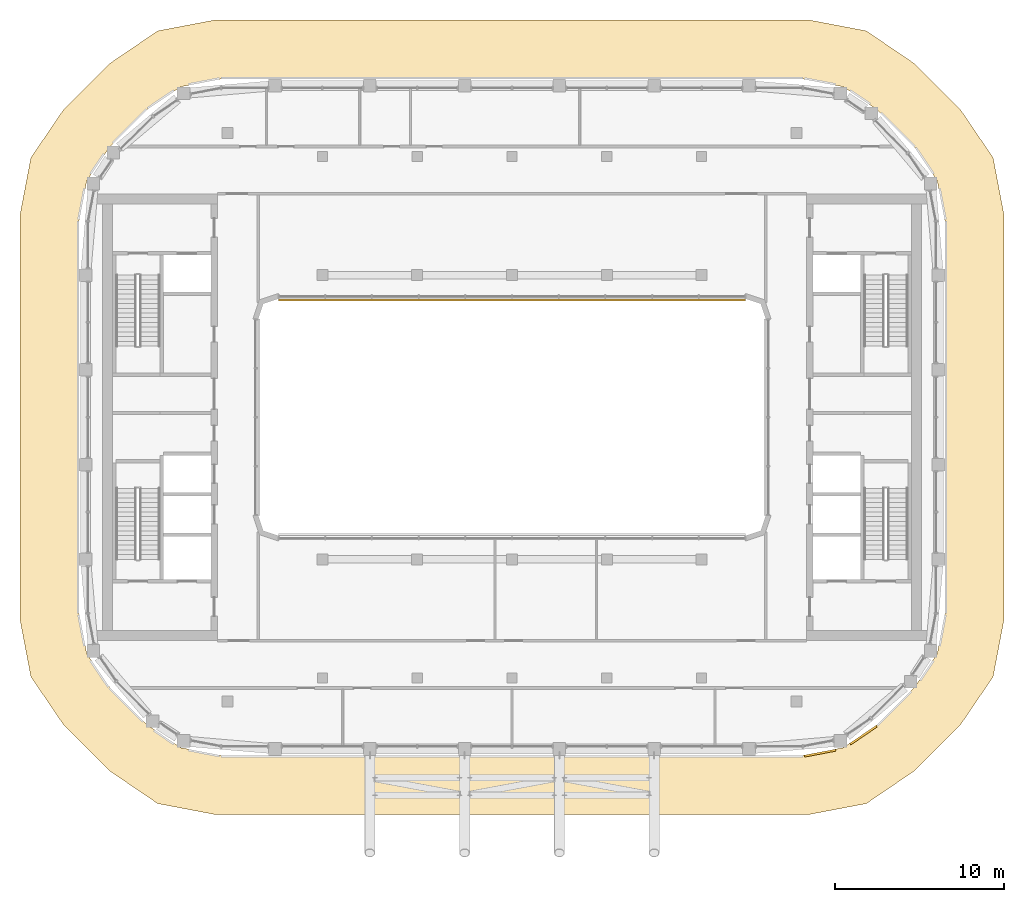
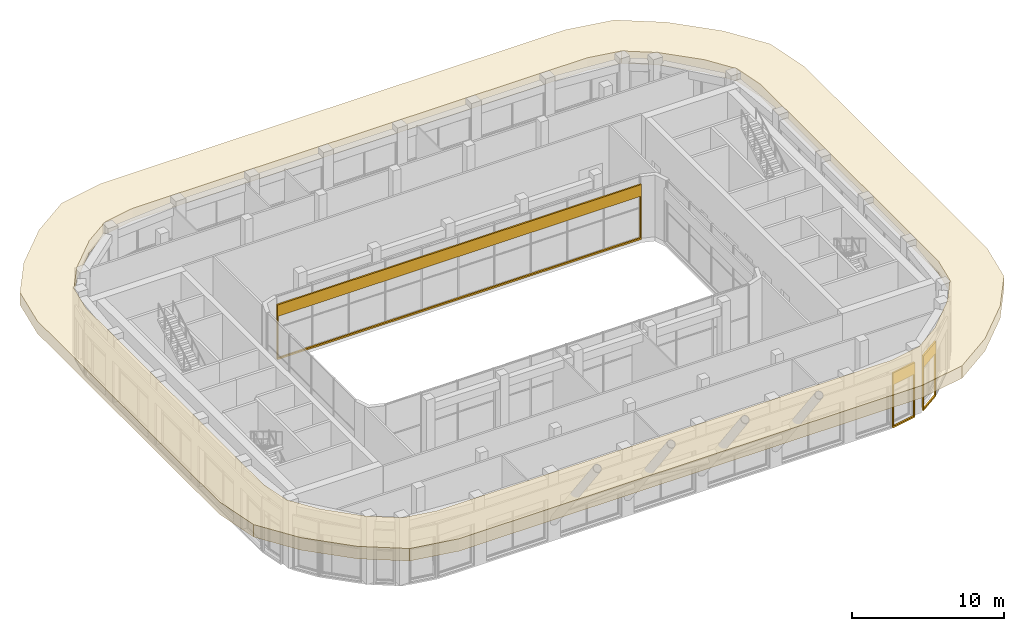
# One storey, part 22 of 24: 4 coverings.
"""IFC4 building model written with IfcOpenShell, lengths in metres."""

from ifc_helpers import new_model, si_unit, direction, frame, origin, place, context, subcontext, project, spatial, polyline, outline, extrude, material, layer, layer_set, type_object, element, save


model = new_model("IFC4")

# Units and contexts
model_context = context("Model", 3, precision=1e-05, world=origin(), true_north=direction((0.0, 1.0)))
body_context = subcontext(model_context, "Body", "Model", "MODEL_VIEW")
ifc_project = project(units=[si_unit("LENGTHUNIT", "METRE"), si_unit("AREAUNIT", "SQUARE_METRE"), si_unit("VOLUMEUNIT", "CUBIC_METRE"), si_unit("PLANEANGLEUNIT", "RADIAN"), si_unit("MASSUNIT", "GRAM", prefix="KILO")], contexts=[model_context])

# Site, building, storey
site_placement = place(None, origin())
site = spatial("IfcSite", under=ifc_project, at=site_placement, CompositionType="ELEMENT")
building_placement = place(site_placement, origin())
building = spatial("IfcBuilding", under=site, at=building_placement, Name="Kiln Ring Residences", CompositionType="ELEMENT")
storey_placement = place(building_placement, frame((0.0, 0.0, 283.699951171875)))
storey = spatial("IfcBuildingStorey", under=building, at=storey_placement, Name="L74", CompositionType="ELEMENT", Elevation=283.699951171875)

# Coverings
ifc_material_1 = material(Name="Brick masonry, dark clay brick", Category="masonry")
ifc_layer_1 = layer(ifc_material_1, 0.1201171875)
ifc_layer_set_1 = layer_set([ifc_layer_1], Name="RAINSCREEN PANEL 120")
covering_type_1 = type_object("IfcCoveringType", Name="RAINSCREEN PANEL 120", PredefinedType="CLADDING", material=ifc_layer_set_1)
for number, where, z_axis, x_axis, name in (
    (1, (17.281494140625, -20.02734375, 0.0), (0.0, 0.0, 1.0), (0.982284001233, 0.187398348234, 0.0), "RAINSCREEN L74"),
    (2, (19.98583984375, -19.320068359375, 0.0), (0.0, 0.0, 1.0), (0.82704477487, 0.562136051469, 0.0), "RAINSCREEN L74"),
):
    element("IfcCovering", number, at=place(storey_placement, frame(where, z_axis=z_axis, x_axis=x_axis)), inside=storey, type_object=covering_type_1, Name=name, PredefinedType="CLADDING", context=body_context, shape_type="SweptSolid", body=[
        extrude(outline(polyline([(0.0, 0.0), (1.881103515625, 0.0), (1.881103515625, 4.400146484375), (0.0, 4.400146484375), (0.0, 0.0)]), holes=[polyline([(0.080078125, 3.469970703125), (0.080078125, 0.130126953125), (1.801025390625, 0.130126953125), (1.801025390625, 3.469970703125), (0.080078125, 3.469970703125)])]), frame((0.0, 0.06005859375, 0.0), z_axis=(0.0, -1.0, 0.0), x_axis=(1.0, 0.0, 0.0)), (0.0, 0.0, 1.0), 0.1201171875),
    ])
covering_1_placement = place(storey_placement, frame((-13.800048828125, 6.93994140625, 0.0), z_axis=(0.0, 0.0, 1.0), x_axis=(1.0, 0.0, 0.0)))
element("IfcCovering", 3, at=covering_1_placement, inside=storey, type_object=covering_type_1, Name="RAINSCREEN L74", PredefinedType="CLADDING", context=body_context, shape_type="SweptSolid", body=[
    extrude(outline(polyline([(0.0, 0.0), (27.60009765625, 0.0), (27.60009765625, 4.400146484375), (0.0, 4.400146484375), (0.0, 0.0)]), holes=[polyline([(0.080078125, 3.469970703125), (0.080078125, 0.130126953125), (27.52001953125, 0.130126953125), (27.52001953125, 3.469970703125), (0.080078125, 3.469970703125)])]), frame((0.0, 0.06005859375, 0.0), z_axis=(0.0, -1.0, 0.0), x_axis=(1.0, 0.0, 0.0)), (0.0, 0.0, 1.0), 0.1201171875),
])
ifc_material_2 = material(Name="Black powder-coated steel", Category="steel")
ifc_layer_2 = layer(ifc_material_2, 1.0)
ifc_layer_set_2 = layer_set([ifc_layer_2], Name="SUNSHADE FIN 3500")
covering_type_2 = type_object("IfcCoveringType", Name="SUNSHADE FIN 3500", PredefinedType="CLADDING", material=ifc_layer_set_2)
covering_2_placement = place(storey_placement, frame((0.0, 0.0, 4.400146484375)))
element("IfcCovering", 4, at=covering_2_placement, inside=storey, type_object=covering_type_2, Name="SUNSHADE FIN L74", PredefinedType="CLADDING", context=body_context, shape_type="SweptSolid", body=[
    extrude(outline(polyline([(-28.431640625, -15.338623046875), (-26.501953125, -18.177978515625), (-23.778076171875, -20.902099609375), (-20.938720703125, -22.831787109375), (-17.56640625, -23.47509765625), (17.56640625, -23.47509765625), (20.938720703125, -22.831787109375), (23.778076171875, -20.902099609375), (26.501953125, -18.177978515625), (28.431640625, -15.338623046875), (29.074951171875, -11.96630859375), (29.074951171875, 11.96630859375), (28.431640625, 15.338623046875), (26.501953125, 18.177978515625), (23.778076171875, 20.902099609375), (20.938720703125, 22.831787109375), (17.56640625, 23.47509765625), (-17.56640625, 23.47509765625), (-20.938720703125, 22.831787109375), (-23.778076171875, 20.902099609375), (-26.501953125, 18.177978515625), (-28.431640625, 15.338623046875), (-29.074951171875, 11.96630859375), (-29.074951171875, -11.96630859375), (-28.431640625, -15.338623046875)]), holes=[polyline([(-21.537109375, -18.193115234375), (-23.793212890625, -15.937255859375), (-25.12939453125, -13.970703125), (-25.574951171875, -11.635498046875), (-25.574951171875, 11.635498046875), (-25.12939453125, 13.970703125), (-23.793212890625, 15.937255859375), (-21.537109375, 18.193115234375), (-19.57080078125, 19.529541015625), (-17.2353515625, 19.97509765625), (17.2353515625, 19.97509765625), (19.57080078125, 19.529541015625), (21.537109375, 18.193115234375), (23.793212890625, 15.937255859375), (25.12939453125, 13.970703125), (25.574951171875, 11.635498046875), (25.574951171875, -11.635498046875), (25.12939453125, -13.970703125), (23.793212890625, -15.937255859375), (21.537109375, -18.193115234375), (19.57080078125, -19.529541015625), (17.2353515625, -19.97509765625), (-17.2353515625, -19.97509765625), (-19.57080078125, -19.529541015625), (-21.537109375, -18.193115234375)])]), origin(), (0.0, 0.0, 1.0), 1.0),
])

save(model, "model.ifc")
